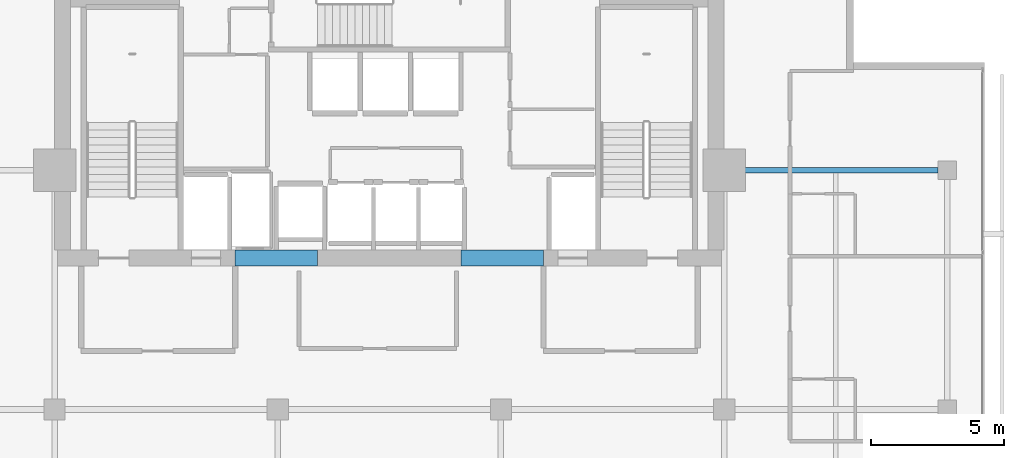
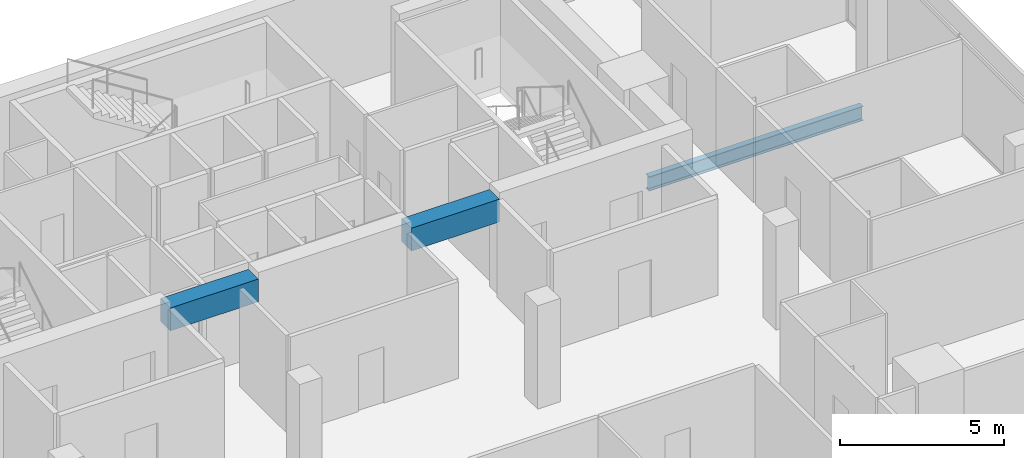
# One storey, part 17 of 25: 3 beams.
"""IFC4 building model written with IfcOpenShell, lengths in metres."""

from ifc_helpers import new_model, si_unit, direction, frame, origin, origin_2d, place, context, subcontext, project, spatial, rectangle, i_section, extrude, material, material_profile, profile_set, type_object, element, save


model = new_model("IFC4")

# Units and contexts
model_context = context("Model", 3, precision=1e-05, world=origin(), true_north=direction((0.0, 1.0)))
body_context = subcontext(model_context, "Body", "Model", "MODEL_VIEW")
ifc_project = project(units=[si_unit("LENGTHUNIT", "METRE"), si_unit("AREAUNIT", "SQUARE_METRE"), si_unit("VOLUMEUNIT", "CUBIC_METRE"), si_unit("PLANEANGLEUNIT", "RADIAN"), si_unit("MASSUNIT", "GRAM", prefix="KILO")], contexts=[model_context])

# Site, building, storey
site_placement = place(None, origin())
site = spatial("IfcSite", under=ifc_project, at=site_placement, CompositionType="ELEMENT")
building_placement = place(site_placement, origin())
building = spatial("IfcBuilding", under=site, at=building_placement, Name="Maruvema Waterfront Hotel and Observation Tower", CompositionType="ELEMENT")
storey_placement = place(building_placement, frame((0.0, 0.0, 270.199951171875)))
storey = spatial("IfcBuildingStorey", under=building, at=storey_placement, Name="L66", CompositionType="ELEMENT", Elevation=270.199951171875)

# Beams
ifc_material_1 = material(Name="Concrete C60/75", Category="concrete")
ifc_material_profile_1 = material_profile(ifc_material_1, rectangle(XDim=0.60009765625, YDim=0.85009765625, at=origin_2d()), Name="CB600x850")
ifc_profile_set_1 = profile_set([ifc_material_profile_1], Name="Concrete C60/75")
beam_type_1 = type_object("IfcBeamType", Name="Core Coupling Lintel Beam CB600x850", PredefinedType="LINTEL", material=ifc_profile_set_1)
for number, where, z_axis, x_axis, name in (
    (1, (32.0, 41.699951171875, 3.18505859375), (1.0, 0.0, 0.0), (0.0, 1.0, 0.0), "L66 Core Coupling Lintel Beam West"),
    (2, (40.5, 41.699951171875, 3.18505859375), (1.0, 0.0, 0.0), (0.0, 1.0, 0.0), "L66 Core Coupling Lintel Beam East"),
):
    element("IfcBeam", number, at=place(storey_placement, frame(where, z_axis=z_axis, x_axis=x_axis)), inside=storey, type_object=beam_type_1, Name=name, PredefinedType="LINTEL", context=body_context, shape_type="SweptSolid", body=[
        extrude(rectangle(XDim=0.60009765625, YDim=0.85009765625, at=origin_2d()), origin(), (0.0, 0.0, 1.0), 3.10009765625),
    ])
ifc_material_2 = material(Name="Steel ASTM A572 Grade 50", Category="steel")
ifc_material_profile_2 = material_profile(ifc_material_2, i_section(OverallWidth=0.208984375, OverallDepth=0.532958984375, WebThickness=0.01025390625, FlangeThickness=0.015625, FilletRadius=0.014892578125, at=origin_2d()), Name="W530x92.0")
ifc_profile_set_2 = profile_set([ifc_material_profile_2], Name="Steel ASTM A572 Grade 50")
beam_type_2 = type_object("IfcBeamType", Name="Primary Floor Girder W530x92.0", PredefinedType="BEAM", material=ifc_profile_set_2)
beam_placement = place(storey_placement, frame((50.89990234375, 45.0, -0.50634765625), z_axis=(1.0, 0.0, 0.0), x_axis=(0.0, 1.0, 0.0)))
element("IfcBeam", 3, at=beam_placement, inside=storey, type_object=beam_type_2, Name="L66 Floor Girder EW-18", PredefinedType="BEAM", context=body_context, shape_type="SweptSolid", body=[
    extrude(i_section(OverallWidth=0.208984375, OverallDepth=0.532958984375, WebThickness=0.01025390625, FlangeThickness=0.015625, FilletRadius=0.014892578125, at=origin_2d()), origin(), (0.0, 0.0, 1.0), 7.550048828125),
])

save(model, "model.ifc")
